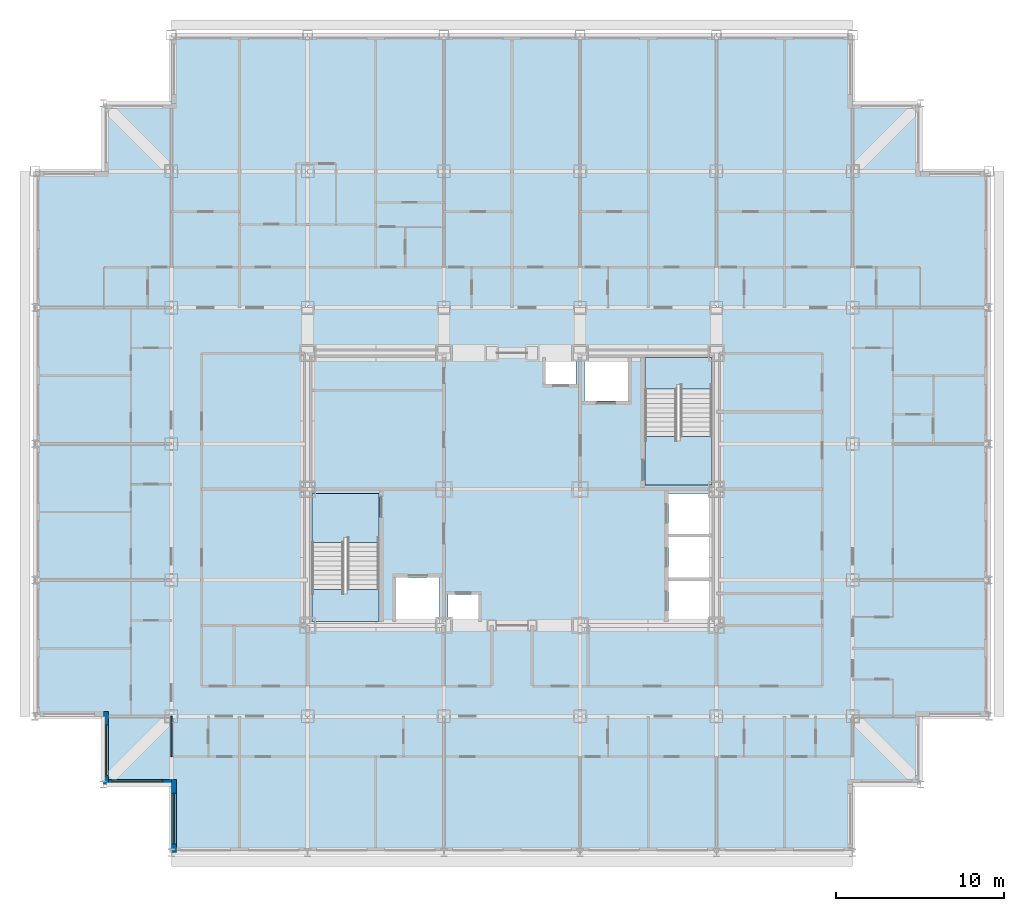
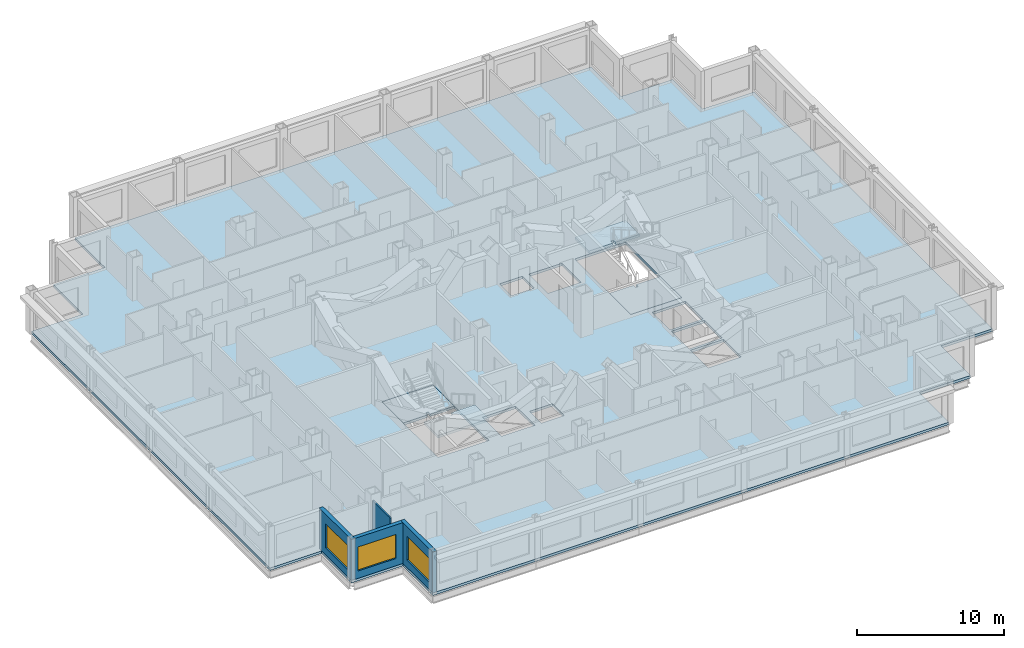
# One storey, part 3 of 12: 5 slabs, 4 walls, 3 windows, 3 openings, 2 elements without a shape of their own.
"""IFC4 building model written with IfcOpenShell, lengths in metres."""

from ifc_helpers import new_model, si_unit, direction, frame, frame_2d, origin, place, context, subcontext, project, spatial, polyline, rectangle, outline, extrude, material, layer, layer_set, type_object, element, fill, aggregate, save


model = new_model("IFC4")

# Units and contexts
model_context = context("Model", 3, precision=1e-05, world=origin(), true_north=direction((0.0, 1.0)))
body_context = subcontext(model_context, "Body", "Model", "MODEL_VIEW")
ifc_project = project(units=[si_unit("LENGTHUNIT", "METRE"), si_unit("AREAUNIT", "SQUARE_METRE"), si_unit("VOLUMEUNIT", "CUBIC_METRE"), si_unit("PLANEANGLEUNIT", "RADIAN"), si_unit("MASSUNIT", "GRAM", prefix="KILO")], contexts=[model_context])

# Site, building, storey
site_placement = place(None, origin())
site = spatial("IfcSite", under=ifc_project, at=site_placement, CompositionType="ELEMENT")
building_placement = place(site_placement, origin())
building = spatial("IfcBuilding", under=site, at=building_placement, Name="Kopane Lantern Tower", CompositionType="ELEMENT")
storey_placement = place(building_placement, frame((0.0, 0.0, 195.60009765625)))
storey = spatial("IfcBuildingStorey", under=building, at=storey_placement, Name="L50", CompositionType="ELEMENT", Elevation=195.60009765625)

# Slab
ifc_material_1 = material(Name="Concrete C40/50", Category="concrete")
ifc_layer_1 = layer(ifc_material_1, 0.2099609375)
ifc_layer_set_1 = layer_set([ifc_layer_1], Name="SLAB 210 COMPOSITE")
slab_type_1 = type_object("IfcSlabType", Name="SLAB 210 COMPOSITE", PredefinedType="FLOOR", material=ifc_layer_set_1)
slab_1_placement = place(storey_placement, frame((0.0, 0.0, -0.210205078125)))
element("IfcSlab", 1, at=slab_1_placement, inside=storey, type_object=slab_type_1, Name="Floor slab L50", PredefinedType="FLOOR", context=body_context, shape_type="SweptSolid", body=[
    extrude(outline(polyline([(8.10009765625, 10.800048828125), (48.60009765625, 10.800048828125), (48.60009765625, 14.85009765625), (52.64990234375, 14.85009765625), (52.64990234375, 18.89990234375), (56.699951171875, 18.89990234375), (56.699951171875, 51.300048828125), (52.64990234375, 51.300048828125), (52.64990234375, 55.35009765625), (48.60009765625, 55.35009765625), (48.60009765625, 59.39990234375), (8.10009765625, 59.39990234375), (8.10009765625, 55.35009765625), (4.050048828125, 55.35009765625), (4.050048828125, 51.300048828125), (0.0, 51.300048828125), (0.0, 18.89990234375), (4.050048828125, 18.89990234375), (4.050048828125, 14.85009765625), (8.10009765625, 14.85009765625), (8.10009765625, 10.800048828125)]), holes=[polyline([(16.449951171875, 24.550048828125), (20.449951171875, 24.550048828125), (20.449951171875, 32.14990234375), (16.449951171875, 32.14990234375), (16.449951171875, 24.550048828125)]), polyline([(36.25, 32.64990234375), (40.25, 32.64990234375), (40.25, 40.25), (36.25, 40.25), (36.25, 32.64990234375)]), polyline([(37.64990234375, 24.550048828125), (40.25, 24.550048828125), (40.25, 26.949951171875), (37.64990234375, 26.949951171875), (37.64990234375, 24.550048828125)]), polyline([(37.64990234375, 27.14990234375), (40.25, 27.14990234375), (40.25, 29.550048828125), (37.64990234375, 29.550048828125), (37.64990234375, 27.14990234375)]), polyline([(37.64990234375, 29.75), (40.25, 29.75), (40.25, 32.14990234375), (37.64990234375, 32.14990234375), (37.64990234375, 29.75)]), polyline([(21.449951171875, 24.550048828125), (24.050048828125, 24.550048828125), (24.050048828125, 27.14990234375), (21.449951171875, 27.14990234375), (21.449951171875, 24.550048828125)]), polyline([(32.64990234375, 37.64990234375), (35.25, 37.64990234375), (35.25, 40.25), (32.64990234375, 40.25), (32.64990234375, 37.64990234375)]), polyline([(24.550048828125, 24.550048828125), (26.35009765625, 24.550048828125), (26.35009765625, 26.14990234375), (24.550048828125, 26.14990234375), (24.550048828125, 24.550048828125)]), polyline([(30.35009765625, 38.64990234375), (32.14990234375, 38.64990234375), (32.14990234375, 40.25), (30.35009765625, 40.25), (30.35009765625, 38.64990234375)])]), origin(), (0.0, 0.0, 1.0), 0.210205078125),
])

# Stair, slabs
ifc_material_2 = material(Name="Steel S355JR", Category="steel")
stair_type = type_object("IfcStairType", Name="EXIT STAIR 1900 HALF TURN", PredefinedType="HALF_TURN_STAIR", material=ifc_material_2)
stair_1_placement = place(storey_placement, origin())
stair_1 = element("IfcStair", 2, at=stair_1_placement, inside=storey, type_object=stair_type, Name="Exit stair ST1 L50", PredefinedType="HALF_TURN_STAIR")
ifc_material_3 = material(Name="Concrete C40/50", Category="concrete")
ifc_layer_2 = layer(ifc_material_3, 0.199951171875)
ifc_layer_set_2 = layer_set([ifc_layer_2], Name="STAIR LANDING 200")
slab_type_2 = type_object("IfcSlabType", Name="STAIR LANDING 200", PredefinedType="LANDING", material=ifc_layer_set_2)
slab_2_placement = place(storey_placement, frame((0.0, 0.0, -0.2001953125)))
slab_2 = element("IfcSlab", 3, at=slab_2_placement, type_object=slab_type_2, Name="ST1 landing 1", PredefinedType="LANDING", context=body_context, shape_type="SweptSolid", body=[
    extrude(outline(polyline([(18.35009765625, 29.530029296875), (18.550048828125, 29.530029296875), (18.550048828125, 29.25), (20.449951171875, 29.25), (20.449951171875, 32.14990234375), (16.449951171875, 32.14990234375), (16.449951171875, 29.25), (18.35009765625, 29.25), (18.35009765625, 29.530029296875)])), origin(), (0.0, 0.0, 1.0), 0.2001953125),
])
slab_3_placement = place(storey_placement, frame((0.0, 0.0, 1.599853515625)))
slab_3 = element("IfcSlab", 4, at=slab_3_placement, type_object=slab_type_2, Name="ST1 landing 2", PredefinedType="LANDING", context=body_context, shape_type="SweptSolid", body=[
    extrude(outline(polyline([(20.449951171875, 26.449951171875), (18.550048828125, 26.449951171875), (18.550048828125, 26.169921875), (18.35009765625, 26.169921875), (18.35009765625, 26.449951171875), (16.449951171875, 26.449951171875), (16.449951171875, 24.550048828125), (20.449951171875, 24.550048828125), (20.449951171875, 26.449951171875)])), origin(), (0.0, 0.0, 1.0), 0.199951171875),
])
aggregate(stair_1, [slab_2, slab_3])

stair_2_placement = place(storey_placement, origin())
stair_2 = element("IfcStair", 5, at=stair_2_placement, inside=storey, type_object=stair_type, Name="Exit stair ST2 L50", PredefinedType="HALF_TURN_STAIR")
slab_4_placement = place(storey_placement, frame((0.0, 0.0, -0.2001953125)))
slab_4 = element("IfcSlab", 6, at=slab_4_placement, type_object=slab_type_2, Name="ST2 landing 1", PredefinedType="LANDING", context=body_context, shape_type="SweptSolid", body=[
    extrude(outline(polyline([(40.25, 35.550048828125), (38.35009765625, 35.550048828125), (38.35009765625, 35.27001953125), (38.14990234375, 35.27001953125), (38.14990234375, 35.550048828125), (36.25, 35.550048828125), (36.25, 32.64990234375), (40.25, 32.64990234375), (40.25, 35.550048828125)])), origin(), (0.0, 0.0, 1.0), 0.2001953125),
])
slab_5_placement = place(storey_placement, frame((0.0, 0.0, 1.599853515625)))
slab_5 = element("IfcSlab", 7, at=slab_5_placement, type_object=slab_type_2, Name="ST2 landing 2", PredefinedType="LANDING", context=body_context, shape_type="SweptSolid", body=[
    extrude(outline(polyline([(38.14990234375, 38.6298828125), (38.35009765625, 38.6298828125), (38.35009765625, 38.35009765625), (40.25, 38.35009765625), (40.25, 40.25), (36.25, 40.25), (36.25, 38.35009765625), (38.14990234375, 38.35009765625), (38.14990234375, 38.6298828125)])), origin(), (0.0, 0.0, 1.0), 0.199951171875),
])
aggregate(stair_2, [slab_4, slab_5])

# Wall
ifc_material_4 = material(Name="Moisture-resistant board on steel studs", Category="steel")
ifc_layer_3 = layer(ifc_material_4, 0.10009765625)
ifc_layer_set_3 = layer_set([ifc_layer_3], Name="BATHROOM WALL 100")
wall_type_1 = type_object("IfcWallType", Name="BATHROOM WALL 100", PredefinedType="PARTITIONING", material=ifc_layer_set_3)
wall_1_placement = place(storey_placement, frame((8.10009765625, 18.89990234375, 0.0), z_axis=(0.0, 0.0, 1.0), x_axis=(0.0, -1.0, 0.0)))
element("IfcWall", 8, at=wall_1_placement, inside=storey, type_object=wall_type_1, Name="Bathroom Wall 100 L50", PredefinedType="PARTITIONING", context=body_context, shape_type="SweptSolid", body=[
    extrude(rectangle(XDim=2.39990234375, YDim=0.10009765625, at=frame_2d((1.199951171875, 0.0))), origin(), (0.0, 0.0, 1.0), 2.777587890625),
])

# Wall, opening, window
ifc_material_5 = material(Name="Terracotta rainscreen on light steel framing", Category="masonry")
ifc_layer_4 = layer(ifc_material_5, 0.300048828125)
ifc_layer_set_4 = layer_set([ifc_layer_4], Name="EXTERNAL WALL EW1 300 TERRACOTTA")
wall_type_2 = type_object("IfcWallType", Name="EXTERNAL WALL EW1 300 TERRACOTTA", PredefinedType="SOLIDWALL", material=ifc_layer_set_4)
wall_2_placement = place(storey_placement, frame((4.199951171875, 19.199951171875, 0.0), z_axis=(0.0, 0.0, 1.0), x_axis=(0.0, -1.0, 0.0)))
wall_2 = element("IfcWall", 9, at=wall_2_placement, inside=storey, type_object=wall_type_2, Name="External wall W L50", PredefinedType="SOLIDWALL", context=body_context, shape_type="SweptSolid", body=[
    extrude(rectangle(XDim=4.349853515625, YDim=0.300048828125, at=frame_2d((2.1748046875, 0.0))), origin(), (0.0, 0.0, 1.0), 3.389892578125),
])
opening_1_placement = place(wall_2_placement, frame((0.824951171875, 0.0, 0.60009765625)))
opening_1 = element("IfcOpeningElement", 10, at=opening_1_placement, cuts=wall_2, Name="Opening WR300200", PredefinedType="OPENING", context=body_context, shape_type="SweptSolid", body=[
    extrude(rectangle(XDim=3.0, YDim=2.0, at=frame_2d((1.5, 1.0))), frame((0.0, 0.159912109375, 0.0), z_axis=(0.0, -1.0, 0.0), x_axis=(1.0, 0.0, 0.0)), (0.0, 0.0, 1.0), 0.320068359375),
])
ifc_material_6 = material(Name="Aluminium and clear glass", Category="aluminium")
window_type = type_object("IfcWindowType", Name="RIBBON WINDOW WR300200 3000x2000", PartitioningType="SINGLE_PANEL", PredefinedType="WINDOW", material=ifc_material_6)
window_1_placement = place(opening_1_placement, origin())
window_1 = element("IfcWindow", 11, at=window_1_placement, inside=storey, type_object=window_type, Name="Window W L50", OverallHeight=2.0, OverallWidth=3.0, PartitioningType="SINGLE_PANEL", PredefinedType="WINDOW", context=body_context, shape_type="SweptSolid", body=[
    extrude(rectangle(XDim=3.0, YDim=2.0, at=frame_2d((1.5, 1.0))), frame((0.0, 0.030029296875, 0.0), z_axis=(0.0, -1.0, 0.0), x_axis=(1.0, 0.0, 0.0)), (0.0, 0.0, 1.0), 0.06005859375),
])
fill(opening_1, window_1)

wall_3_placement = place(storey_placement, frame((4.35009765625, 15.0, 0.0), z_axis=(0.0, 0.0, 1.0), x_axis=(1.0, 0.0, 0.0)))
wall_3 = element("IfcWall", 12, at=wall_3_placement, inside=storey, type_object=wall_type_2, Name="External wall S L50", PredefinedType="SOLIDWALL", context=body_context, shape_type="SweptSolid", body=[
    extrude(rectangle(XDim=3.75, YDim=0.300048828125, at=frame_2d((1.875, 0.0))), origin(), (0.0, 0.0, 1.0), 3.389892578125),
])
opening_2_placement = place(wall_3_placement, frame((0.22509765625, 0.0, 0.60009765625)))
opening_2 = element("IfcOpeningElement", 13, at=opening_2_placement, cuts=wall_3, Name="Opening WR300200", PredefinedType="OPENING", context=body_context, shape_type="SweptSolid", body=[
    extrude(rectangle(XDim=3.0, YDim=2.0, at=frame_2d((1.5, 1.0))), frame((0.0, 0.159912109375, 0.0), z_axis=(0.0, -1.0, 0.0), x_axis=(1.0, 0.0, 0.0)), (0.0, 0.0, 1.0), 0.320068359375),
])
window_2_placement = place(opening_2_placement, origin())
window_2 = element("IfcWindow", 14, at=window_2_placement, inside=storey, type_object=window_type, Name="Window S L50", OverallHeight=2.0, OverallWidth=3.0, PartitioningType="SINGLE_PANEL", PredefinedType="WINDOW", context=body_context, shape_type="SweptSolid", body=[
    extrude(rectangle(XDim=3.0, YDim=2.0, at=frame_2d((1.5, 1.0))), frame((0.0, 0.030029296875, 0.0), z_axis=(0.0, -1.0, 0.0), x_axis=(1.0, 0.0, 0.0)), (0.0, 0.0, 1.0), 0.06005859375),
])
fill(opening_2, window_2)

wall_4_placement = place(storey_placement, frame((8.25, 15.14990234375, 0.0), z_axis=(0.0, 0.0, 1.0), x_axis=(0.0, -1.0, 0.0)))
wall_4 = element("IfcWall", 15, at=wall_4_placement, inside=storey, type_object=wall_type_2, Name="External wall W L50", PredefinedType="SOLIDWALL", context=body_context, shape_type="SweptSolid", body=[
    extrude(rectangle(XDim=4.349853515625, YDim=0.300048828125, at=frame_2d((2.1748046875, 0.0))), origin(), (0.0, 0.0, 1.0), 3.389892578125),
])
opening_3_placement = place(wall_4_placement, frame((0.824951171875, 0.0, 0.60009765625)))
opening_3 = element("IfcOpeningElement", 16, at=opening_3_placement, cuts=wall_4, Name="Opening WR300200", PredefinedType="OPENING", context=body_context, shape_type="SweptSolid", body=[
    extrude(rectangle(XDim=3.0, YDim=2.0, at=frame_2d((1.5, 1.0))), frame((0.0, 0.159912109375, 0.0), z_axis=(0.0, -1.0, 0.0), x_axis=(1.0, 0.0, 0.0)), (0.0, 0.0, 1.0), 0.320068359375),
])
window_3_placement = place(opening_3_placement, origin())
window_3 = element("IfcWindow", 17, at=window_3_placement, inside=storey, type_object=window_type, Name="Window W L50", OverallHeight=2.0, OverallWidth=3.0, PartitioningType="SINGLE_PANEL", PredefinedType="WINDOW", context=body_context, shape_type="SweptSolid", body=[
    extrude(rectangle(XDim=3.0, YDim=2.0, at=frame_2d((1.5, 1.0))), frame((0.0, 0.030029296875, 0.0), z_axis=(0.0, -1.0, 0.0), x_axis=(1.0, 0.0, 0.0)), (0.0, 0.0, 1.0), 0.06005859375),
])
fill(opening_3, window_3)

save(model, "model.ifc")
